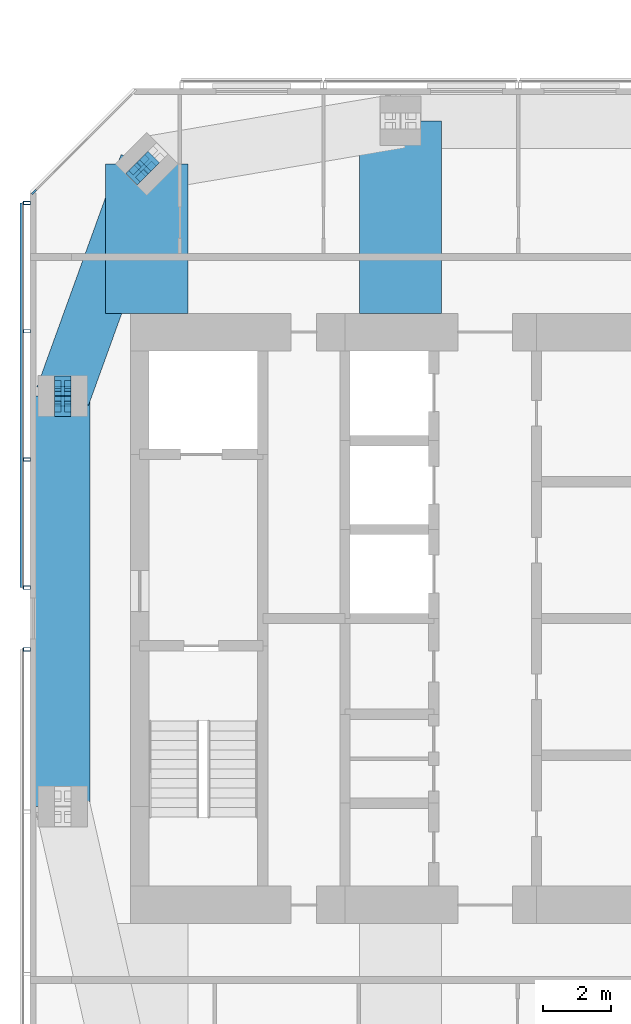
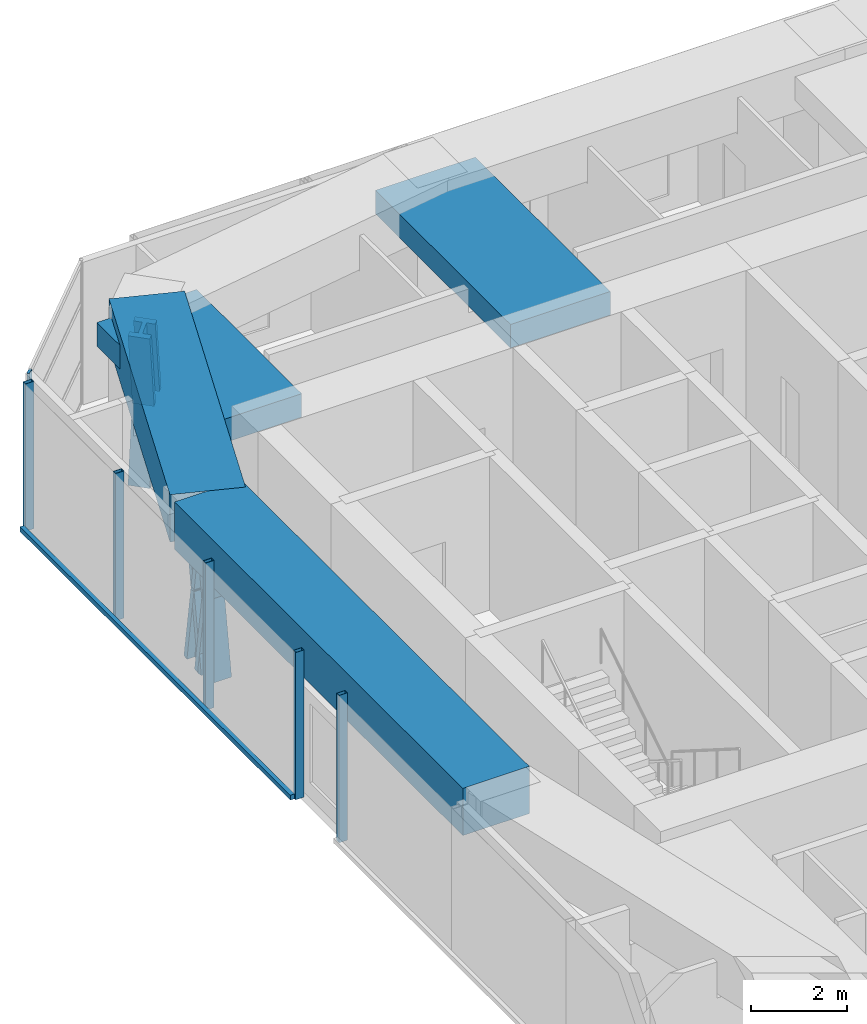
# One storey, part 6 of 20: 13 members, 4 beams, 3 elements without a shape of their own.
"""IFC4 building model written with IfcOpenShell, lengths in metres."""

from ifc_helpers import new_model, si_unit, direction, frame, origin, origin_2d, place, context, subcontext, project, spatial, rectangle, hollow_rectangle, i_section, extrude, material, material_profile, profile_set, type_object, element, aggregate, save


model = new_model("IFC4")

# Units and contexts
model_context = context("Model", 3, precision=1e-05, world=origin(), true_north=direction((0.0, 1.0)))
body_context = subcontext(model_context, "Body", "Model", "MODEL_VIEW")
ifc_project = project(units=[si_unit("LENGTHUNIT", "METRE"), si_unit("AREAUNIT", "SQUARE_METRE"), si_unit("VOLUMEUNIT", "CUBIC_METRE"), si_unit("PLANEANGLEUNIT", "RADIAN"), si_unit("MASSUNIT", "GRAM", prefix="KILO")], contexts=[model_context])

# Site, building, storey
site_placement = place(None, origin())
site = spatial("IfcSite", under=ifc_project, at=site_placement, CompositionType="ELEMENT")
building_placement = place(site_placement, origin())
building = spatial("IfcBuilding", under=site, at=building_placement, Name="Jalousie Tower", CompositionType="ELEMENT")
storey_placement = place(building_placement, frame((0.0, 0.0, 263.85009765625)))
storey = spatial("IfcBuildingStorey", under=building, at=storey_placement, Name="L72", CompositionType="ELEMENT", Elevation=263.85009765625)

# Curtain wall, member
ifc_material_1 = material(Name="Aluminium curtain wall", Category="aluminium")
curtain_wall_type_1 = type_object("IfcCurtainWallType", Name="PENTHOUSE CORNER WINDOW WALL", PredefinedType="USERDEFINED", material=ifc_material_1)
curtain_wall_1_placement = place(storey_placement, origin())
curtain_wall_1 = element("IfcCurtainWall", 1, at=curtain_wall_1_placement, inside=storey, type_object=curtain_wall_type_1, Name="Penthouse Corner Window Wall L72 6", ObjectType="PENTHOUSE CORNER WINDOW WALL", PredefinedType="USERDEFINED")
ifc_material_2 = material(Name="Aluminium mullion", Category="aluminium")
ifc_material_profile_1 = material_profile(ifc_material_2, rectangle(XDim=0.06005859375, YDim=0.179931640625, at=origin_2d()), Name="MULLION 60x180")
ifc_profile_set_1 = profile_set([ifc_material_profile_1], Name="Aluminium mullion")
member_type_1 = type_object("IfcMemberType", Name="PENTHOUSE CORNER WINDOW WALL MULLION", PredefinedType="MULLION", material=ifc_profile_set_1)
member_1_placement = place(storey_placement, frame((16.90869140625, 30.969970703125, 0.0), z_axis=(0.0, 0.0, 1.0), x_axis=(0.707106781187, -0.707106781187, 0.0)))
member_1 = element("IfcMember", 2, at=member_1_placement, type_object=member_type_1, Name="CW-H mullion 2", PredefinedType="MULLION", context=body_context, shape_type="SweptSolid", body=[
    extrude(rectangle(XDim=0.06005859375, YDim=0.179931640625, at=origin_2d()), origin(), (0.0, 0.0, 1.0), 3.619873046875),
])
aggregate(curtain_wall_1, [member_1])

# Members
ifc_material_3 = material(Name="Steel ASTM A992 Grade 50", Category="steel")
ifc_material_profile_2 = material_profile(ifc_material_3, i_section(OverallWidth=0.472412109375, OverallDepth=0.5791015625, WebThickness=0.094970703125, FlangeThickness=0.1298828125, at=origin_2d()), Name="W14X808")
ifc_profile_set_2 = profile_set([ifc_material_profile_2], Name="Steel ASTM A992 Grade 50")
member_type_2 = type_object("IfcMemberType", Name="PERIMETER BRACE W14X808", PredefinedType="BRACE", material=ifc_profile_set_2)
for number, where, z_axis, x_axis, name in (
    (3, (20.20703125, 31.79296875, 1.349853515625), (-0.124836902862, -0.124960137712, 0.984276745467), (0.707455539091, -0.706757851183, 0.0), "Perimeter brace 12 L72 part 2"),
    (4, (19.959716796875, 31.54541015625, -0.60009765625), (0.124836902862, 0.124960137712, 0.984276745467), (-0.707455539091, 0.706757851183, 0.0), "Perimeter brace 12 L72 part 3"),
):
    element("IfcMember", number, at=place(storey_placement, frame(where, z_axis=z_axis, x_axis=x_axis)), inside=storey, type_object=member_type_2, Name=name, PredefinedType="BRACE", context=body_context, shape_type="SweptSolid", body=[
        extrude(i_section(OverallWidth=0.472412109375, OverallDepth=0.5791015625, WebThickness=0.094970703125, FlangeThickness=0.1298828125, at=origin_2d()), origin(), (0.0, 0.0, 1.0), 1.981201171875),
    ])
for number, where, z_axis, x_axis, name in (
    (5, (17.75, 24.699951171875, -0.60009765625), (0.0, 0.152085080919, 0.988367405453), (-1.0, 0.0, 0.0), "Perimeter brace 13 L72 part 1"),
    (6, (17.75, 25.0, 1.349853515625), (0.0, 0.152085080919, 0.988367405453), (-1.0, 0.0, 0.0), "Perimeter brace 13 L72 part 2"),
    (7, (17.75, 25.300048828125, -0.60009765625), (0.0, -0.152085080919, 0.988367405453), (1.0, 0.0, 0.0), "Perimeter brace 13 L72 part 3"),
    (8, (17.75, 25.0, 1.349853515625), (0.0, -0.152085080919, 0.988367405453), (1.0, 0.0, 0.0), "Perimeter brace 13 L72 part 4"),
):
    element("IfcMember", number, at=place(storey_placement, frame(where, z_axis=z_axis, x_axis=x_axis)), inside=storey, type_object=member_type_2, Name=name, PredefinedType="BRACE", context=body_context, shape_type="SweptSolid", body=[
        extrude(i_section(OverallWidth=0.472412109375, OverallDepth=0.5791015625, WebThickness=0.094970703125, FlangeThickness=0.1298828125, at=origin_2d()), origin(), (0.0, 0.0, 1.0), 1.972900390625),
    ])

# Beams
ifc_material_4 = material(Name="Concrete f'c 40 MPa", Category="concrete")
ifc_material_profile_3 = material_profile(ifc_material_4, rectangle(XDim=1.60009765625, YDim=1.199951171875, at=origin_2d()), Name="RC 1600x1200")
ifc_profile_set_3 = profile_set([ifc_material_profile_3], Name="Concrete f'c 40 MPa")
beam_type_1 = type_object("IfcBeamType", Name="RC BEAM 1600x1200", PredefinedType="BEAM", material=ifc_profile_set_3)
beam_1_placement = place(storey_placement, frame((20.20703125, 31.79296875, 3.2998046875), z_axis=(-0.340136081654, -0.940376225751, 0.0), x_axis=(0.940376225751, -0.340136081654, 0.0)))
element("IfcBeam", 9, at=beam_1_placement, inside=storey, type_object=beam_type_1, Name="Edge band beam 12-13 under L73", PredefinedType="BEAM", context=body_context, shape_type="SweptSolid", body=[
    extrude(rectangle(XDim=1.60009765625, YDim=1.199951171875, at=origin_2d()), origin(), (0.0, 0.0, 1.0), 7.2236328125),
])
beam_2_placement = place(storey_placement, frame((17.75, 25.0, 3.2998046875), z_axis=(0.0, -1.0, 0.0), x_axis=(1.0, 0.0, 0.0)))
element("IfcBeam", 10, at=beam_2_placement, inside=storey, type_object=beam_type_1, Name="Edge band beam 13-14 under L73", PredefinedType="BEAM", context=body_context, shape_type="SweptSolid", body=[
    extrude(rectangle(XDim=1.60009765625, YDim=1.199951171875, at=origin_2d()), origin(), (0.0, 0.0, 1.0), 12.0),
])
ifc_material_5 = material(Name="Concrete f'c 40 MPa", Category="concrete")
ifc_material_profile_4 = material_profile(ifc_material_5, rectangle(XDim=2.39990234375, YDim=0.60009765625, at=origin_2d()), Name="RC 2400x600")
ifc_profile_set_4 = profile_set([ifc_material_profile_4], Name="Concrete f'c 40 MPa")
beam_type_2 = type_object("IfcBeamType", Name="RC BEAM 2400x600", PredefinedType="BEAM", material=ifc_profile_set_4)
beam_3_placement = place(storey_placement, frame((20.20703125, 31.79296875, 3.31982421875), z_axis=(0.0, -1.0, 0.0), x_axis=(1.0, 0.0, 0.0)))
element("IfcBeam", 11, at=beam_3_placement, inside=storey, type_object=beam_type_2, Name="Floor band beam under L73", PredefinedType="BEAM", context=body_context, shape_type="SweptSolid", body=[
    extrude(rectangle(XDim=2.39990234375, YDim=0.60009765625, at=origin_2d()), origin(), (0.0, 0.0, 1.0), 4.367919921875),
])
beam_4_placement = place(storey_placement, frame((27.625, 33.050048828125, 3.31982421875), z_axis=(0.0, -1.0, 0.0), x_axis=(1.0, 0.0, 0.0)))
element("IfcBeam", 12, at=beam_4_placement, inside=storey, type_object=beam_type_2, Name="Floor band beam under L73", PredefinedType="BEAM", context=body_context, shape_type="SweptSolid", body=[
    extrude(rectangle(XDim=2.39990234375, YDim=0.60009765625, at=origin_2d()), origin(), (0.0, 0.0, 1.0), 5.625),
])

# Curtain wall, members
ifc_material_6 = material(Name="Perforated aluminium sheet", Category="aluminium")
curtain_wall_type_2 = type_object("IfcCurtainWallType", Name="SOLAR SCREEN SS-2", PredefinedType="USERDEFINED", material=ifc_material_6)
curtain_wall_2_placement = place(storey_placement, origin())
curtain_wall_2 = element("IfcCurtainWall", 13, at=curtain_wall_2_placement, inside=storey, type_object=curtain_wall_type_2, Name="Solar screen L72", ObjectType="SOLAR SCREEN SS-2", PredefinedType="USERDEFINED")
ifc_material_7 = material(Name="Steel ASTM A500 Grade C", Category="steel")
ifc_material_profile_5 = material_profile(ifc_material_7, hollow_rectangle(XDim=0.1015625, YDim=0.203125, WallThickness=0.0078125, at=origin_2d()), Name="HSS8X4X5/16")
ifc_profile_set_5 = profile_set([ifc_material_profile_5], Name="Steel ASTM A500 Grade C")
member_type_3 = type_object("IfcMemberType", Name="SOLAR SCREEN SS-2 MULLION", PredefinedType="MULLION", material=ifc_profile_set_5)
member_2_placement = place(storey_placement, frame((16.703369140625, 30.648681640625, -0.1201171875), z_axis=(0.0, 0.0, 1.0), x_axis=(0.0, -1.0, 0.0)))
member_2 = element("IfcMember", 14, at=member_2_placement, type_object=member_type_3, Name="SS2 post 1", PredefinedType="MULLION", context=body_context, shape_type="SweptSolid", body=[
    extrude(hollow_rectangle(XDim=0.1015625, YDim=0.203125, WallThickness=0.0078125, at=origin_2d()), origin(), (0.0, 0.0, 1.0), 3.739990234375),
])
member_3_placement = place(storey_placement, frame((16.703369140625, 26.899169921875, -0.1201171875), z_axis=(0.0, 0.0, 1.0), x_axis=(0.0, -1.0, 0.0)))
member_3 = element("IfcMember", 15, at=member_3_placement, type_object=member_type_3, Name="SS2 post 2", PredefinedType="MULLION", context=body_context, shape_type="SweptSolid", body=[
    extrude(hollow_rectangle(XDim=0.1015625, YDim=0.203125, WallThickness=0.0078125, at=origin_2d()), origin(), (0.0, 0.0, 1.0), 3.739990234375),
])
member_4_placement = place(storey_placement, frame((16.703369140625, 23.149658203125, -0.1201171875), z_axis=(0.0, 0.0, 1.0), x_axis=(0.0, -1.0, 0.0)))
member_4 = element("IfcMember", 16, at=member_4_placement, type_object=member_type_3, Name="SS2 post 3", PredefinedType="MULLION", context=body_context, shape_type="SweptSolid", body=[
    extrude(hollow_rectangle(XDim=0.1015625, YDim=0.203125, WallThickness=0.0078125, at=origin_2d()), origin(), (0.0, 0.0, 1.0), 3.739990234375),
])
member_5_placement = place(storey_placement, frame((16.703369140625, 19.39990234375, -0.1201171875), z_axis=(0.0, 0.0, 1.0), x_axis=(0.0, -1.0, 0.0)))
member_5 = element("IfcMember", 17, at=member_5_placement, type_object=member_type_3, Name="SS2 post 4", PredefinedType="MULLION", context=body_context, shape_type="SweptSolid", body=[
    extrude(hollow_rectangle(XDim=0.1015625, YDim=0.203125, WallThickness=0.0078125, at=origin_2d()), origin(), (0.0, 0.0, 1.0), 3.739990234375),
])

# Curtain wall, member
curtain_wall_3_placement = place(storey_placement, origin())
curtain_wall_3 = element("IfcCurtainWall", 18, at=curtain_wall_3_placement, inside=storey, type_object=curtain_wall_type_2, Name="Solar screen L72", ObjectType="SOLAR SCREEN SS-2", PredefinedType="USERDEFINED")
member_6_placement = place(storey_placement, frame((16.703369140625, 17.60009765625, -0.1201171875), z_axis=(0.0, 0.0, 1.0), x_axis=(0.0, -1.0, 0.0)))
member_6 = element("IfcMember", 19, at=member_6_placement, type_object=member_type_3, Name="SS2 post 1", PredefinedType="MULLION", context=body_context, shape_type="SweptSolid", body=[
    extrude(hollow_rectangle(XDim=0.1015625, YDim=0.203125, WallThickness=0.0078125, at=origin_2d()), origin(), (0.0, 0.0, 1.0), 3.739990234375),
])
aggregate(curtain_wall_3, [member_6])

# Member
ifc_material_8 = material(Name="Extruded aluminium screen rail", Category="aluminium")
ifc_material_profile_6 = material_profile(ifc_material_8, rectangle(XDim=0.1015625, YDim=0.1201171875, at=origin_2d()), Name="RAIL 102x120")
ifc_profile_set_6 = profile_set([ifc_material_profile_6], Name="Extruded aluminium screen rail")
member_type_4 = type_object("IfcMemberType", Name="SOLAR SCREEN SS-2 TRANSOM", PredefinedType="USERDEFINED", material=ifc_profile_set_6)
member_7_placement = place(storey_placement, frame((16.551025390625, 30.648681640625, -0.06005859375), z_axis=(0.0, -1.0, 0.0), x_axis=(1.0, 0.0, 0.0)))
member_7 = element("IfcMember", 20, at=member_7_placement, type_object=member_type_4, Name="SS2 rail", ObjectType="TRANSOM", PredefinedType="USERDEFINED", context=body_context, shape_type="SweptSolid", body=[
    extrude(rectangle(XDim=0.1015625, YDim=0.1201171875, at=origin_2d()), origin(), (0.0, 0.0, 1.0), 11.248779296875),
])

aggregate(curtain_wall_2, [member_2, member_3, member_4, member_5, member_7])

save(model, "model.ifc")
